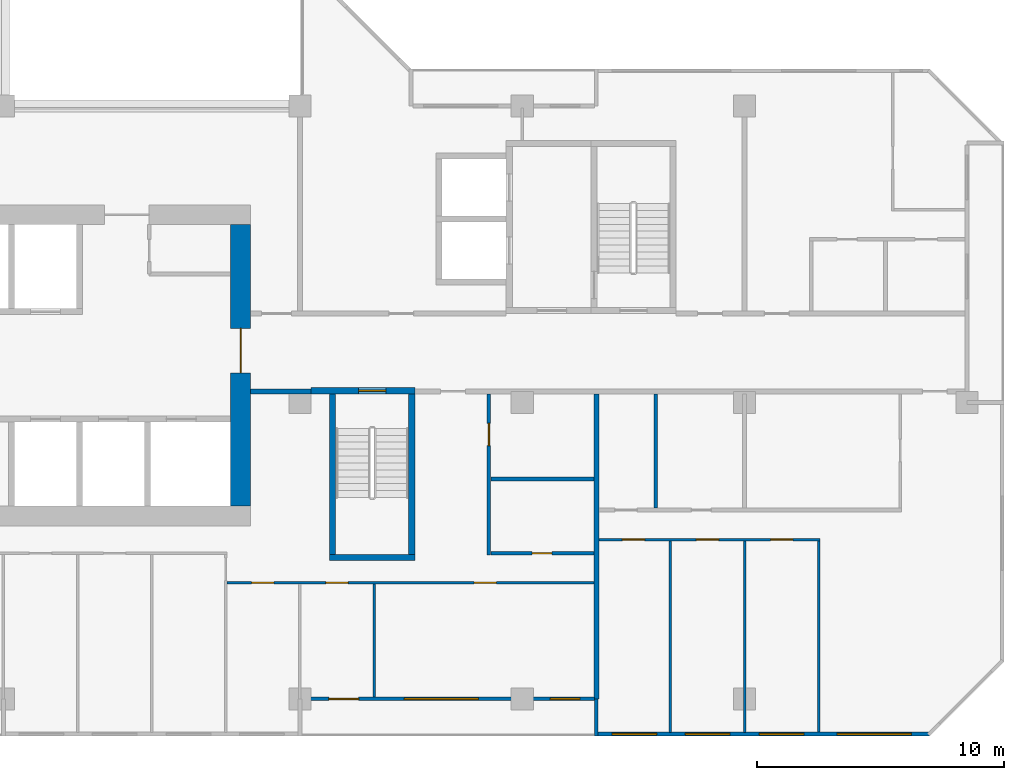
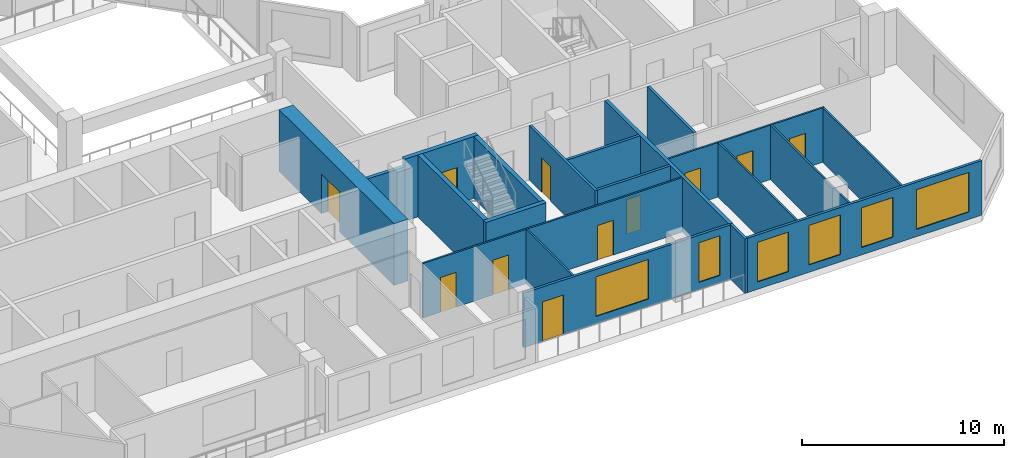
# One storey, part 6 of 15: 20 walls, 11 doors, 6 windows, 17 openings.
"""IFC4 building model written with IfcOpenShell, lengths in metres."""

from ifc_helpers import new_model, si_unit, direction, frame, frame_2d, origin, place, context, subcontext, project, spatial, rectangle, extrude, material, layer, layer_set, type_object, element, fill, save


model = new_model("IFC4")

# Units and contexts
model_context = context("Model", 3, precision=1e-05, world=origin(), true_north=direction((0.0, 1.0)))
body_context = subcontext(model_context, "Body", "Model", "MODEL_VIEW")
ifc_project = project(units=[si_unit("LENGTHUNIT", "METRE"), si_unit("AREAUNIT", "SQUARE_METRE"), si_unit("VOLUMEUNIT", "CUBIC_METRE"), si_unit("PLANEANGLEUNIT", "RADIAN"), si_unit("MASSUNIT", "GRAM", prefix="KILO")], contexts=[model_context])

# Site, building, storey
site_placement = place(None, origin())
site = spatial("IfcSite", under=ifc_project, at=site_placement, CompositionType="ELEMENT")
building_placement = place(site_placement, origin())
building = spatial("IfcBuilding", under=site, at=building_placement, Name="Chenar Terraces", CompositionType="ELEMENT")
storey_placement = place(building_placement, frame((0.0, 0.0, 202.39990234375)))
storey = spatial("IfcBuildingStorey", under=building, at=storey_placement, Name="L47", CompositionType="ELEMENT", Elevation=202.39990234375)

# Wall
ifc_material_1 = material(Name="Concrete C60/75", Category="concrete")
ifc_layer_1 = layer(ifc_material_1, 0.25)
ifc_layer_set_1 = layer_set([ifc_layer_1], Name="Concrete C60/75")
wall_type_1 = type_object("IfcWallType", Name="Core wall 250 Concrete C60/75", PredefinedType="SHEAR", material=ifc_layer_set_1)
wall_1_placement = place(storey_placement, frame((37.199951171875, 5.72509765625, 0.0), z_axis=(0.0, 0.0, 1.0), x_axis=(1.0, 0.0, 0.0)))
element("IfcWall", 1, at=wall_1_placement, inside=storey, type_object=wall_type_1, Name="Core wall ST2_S L47", PredefinedType="SHEAR", context=body_context, shape_type="SweptSolid", body=[
    extrude(rectangle(XDim=3.449951171875, YDim=0.25, at=frame_2d((1.72509765625, 0.0))), origin(), (0.0, 0.0, 1.0), 3.75),
])

# Wall, opening, door
wall_2_placement = place(storey_placement, frame((36.449951171875, 12.47509765625, 0.0), z_axis=(0.0, 0.0, 1.0), x_axis=(1.0, 0.0, 0.0)))
wall_2 = element("IfcWall", 2, at=wall_2_placement, inside=storey, type_object=wall_type_1, Name="Core wall ST2_N L47", PredefinedType="SHEAR", context=body_context, shape_type="SweptSolid", body=[
    extrude(rectangle(XDim=4.199951171875, YDim=0.25, at=frame_2d((2.10009765625, 0.0))), origin(), (0.0, 0.0, 1.0), 3.75),
])
opening_1_placement = place(wall_2_placement, frame((1.925048828125, 0.0, 0.0)))
opening_1 = element("IfcOpeningElement", 3, at=opening_1_placement, cuts=wall_2, Name="Opening DL47-C7", PredefinedType="OPENING", context=body_context, shape_type="SweptSolid", body=[
    extrude(rectangle(XDim=1.10009765625, YDim=2.199951171875, at=frame_2d((0.550048828125, 1.10009765625))), frame((0.0, 0.135009765625, 0.0), z_axis=(0.0, -1.0, 0.0), x_axis=(1.0, 0.0, 0.0)), (0.0, 0.0, 1.0), 0.27001953125),
])
ifc_material_2 = material(Name="Steel-framed fire-resisting door leaf", Category="steel")
door_type_1 = type_object("IfcDoorType", Name="Stair fire door FD60 1100 x 2200", OperationType="SINGLE_SWING_LEFT", PredefinedType="DOOR", material=ifc_material_2)
door_1_placement = place(opening_1_placement, frame((1.10009765625, 0.0, 0.0), z_axis=(0.0, 0.0, 1.0), x_axis=(-1.0, 0.0, 0.0)))
door_1 = element("IfcDoor", 4, at=door_1_placement, inside=storey, type_object=door_type_1, Name="Stair door DL47-C7", OperationType="SINGLE_SWING_RIGHT", OverallHeight=2.199951171875, OverallWidth=1.10009765625, PredefinedType="DOOR", context=body_context, shape_type="SweptSolid", body=[
    extrude(rectangle(XDim=1.10009765625, YDim=2.199951171875, at=frame_2d((0.550048828125, 1.10009765625))), frame((0.0, 0.02490234375, 0.0), z_axis=(0.0, -1.0, 0.0), x_axis=(1.0, 0.0, 0.0)), (0.0, 0.0, 1.0), 0.050048828125),
])
fill(opening_1, door_1)

# Walls
for number, where, z_axis, x_axis, name in (
    (5, (37.324951171875, 5.85009765625, 0.0), (0.0, 0.0, 1.0), (0.0, 1.0, 0.0), "Core wall ST2_W L47"),
    (6, (40.52490234375, 5.85009765625, 0.0), (0.0, 0.0, 1.0), (0.0, 1.0, 0.0), "Core wall ST2_E L47"),
):
    element("IfcWall", number, at=place(storey_placement, frame(where, z_axis=z_axis, x_axis=x_axis)), inside=storey, type_object=wall_type_1, Name=name, PredefinedType="SHEAR", context=body_context, shape_type="SweptSolid", body=[
        extrude(rectangle(XDim=6.5, YDim=0.25, at=frame_2d((3.25, 0.0))), origin(), (0.0, 0.0, 1.0), 3.75),
    ])

# Wall, opening, door
ifc_material_3 = material(Name="Concrete C60/75", Category="concrete")
ifc_layer_2 = layer(ifc_material_3, 0.800048828125)
ifc_layer_set_2 = layer_set([ifc_layer_2], Name="Concrete C60/75")
wall_type_2 = type_object("IfcWallType", Name="Core wall 800 Concrete C60/75", PredefinedType="SHEAR", material=ifc_layer_set_2)
wall_3_placement = place(storey_placement, frame((33.60009765625, 7.800048828125, 0.0), z_axis=(0.0, 0.0, 1.0), x_axis=(0.0, 1.0, 0.0)))
wall_3 = element("IfcWall", 7, at=wall_3_placement, inside=storey, type_object=wall_type_2, Name="Core wall E L47", PredefinedType="SHEAR", context=body_context, shape_type="SweptSolid", body=[
    extrude(rectangle(XDim=11.39990234375, YDim=0.800048828125, at=frame_2d((5.699951171875, 0.0))), origin(), (0.0, 0.0, 1.0), 3.75),
])
opening_2_placement = place(wall_3_placement, frame((5.39990234375, 0.0, 0.0)))
opening_2 = element("IfcOpeningElement", 8, at=opening_2_placement, cuts=wall_3, Name="Opening DL47-C1", PredefinedType="OPENING", context=body_context, shape_type="SweptSolid", body=[
    extrude(rectangle(XDim=1.800048828125, YDim=2.39990234375, at=frame_2d((0.89990234375, 1.199951171875))), frame((0.0, 0.409912109375, 0.0), z_axis=(0.0, -1.0, 0.0), x_axis=(1.0, 0.0, 0.0)), (0.0, 0.0, 1.0), 0.820068359375),
])
ifc_material_4 = material(Name="Steel-framed fire-resisting door leaf", Category="steel")
door_type_2 = type_object("IfcDoorType", Name="Core entrance double fire door FD60 1800 x 2400", OperationType="DOUBLE_DOOR_SINGLE_SWING", PredefinedType="DOOR", material=ifc_material_4)
door_2_placement = place(opening_2_placement, origin())
door_2 = element("IfcDoor", 9, at=door_2_placement, inside=storey, type_object=door_type_2, Name="Core door DL47-C1", OperationType="DOUBLE_DOOR_SINGLE_SWING", OverallHeight=2.39990234375, OverallWidth=1.800048828125, PredefinedType="DOOR", context=body_context, shape_type="SweptSolid", body=[
    extrude(rectangle(XDim=1.800048828125, YDim=2.39990234375, at=frame_2d((0.89990234375, 1.199951171875))), frame((0.0, 0.02490234375, 0.0), z_axis=(0.0, -1.0, 0.0), x_axis=(1.0, 0.0, 0.0)), (0.0, 0.0, 1.0), 0.050048828125),
])
fill(opening_2, door_2)

# Wall
ifc_material_5 = material(Name="Gypsum board on steel studs with fire boards", Category="steel")
ifc_layer_3 = layer(ifc_material_5, 0.199951171875)
ifc_layer_set_3 = layer_set([ifc_layer_3], Name="Gypsum board on steel studs with fire boards")
wall_type_3 = type_object("IfcWallType", Name="Corridor wall 200", PredefinedType="PARTITIONING", material=ifc_layer_set_3)
wall_4_placement = place(storey_placement, frame((34.0, 12.449951171875, 0.0), z_axis=(0.0, 0.0, 1.0), x_axis=(1.0, 0.0, 0.0)))
element("IfcWall", 10, at=wall_4_placement, inside=storey, type_object=wall_type_3, Name="Partition L47-064", PredefinedType="PARTITIONING", context=body_context, shape_type="SweptSolid", body=[
    extrude(rectangle(XDim=2.450927734375, YDim=0.199951171875, at=frame_2d((1.2255859375, 0.0))), origin(), (0.0, 0.0, 1.0), 3.300048828125),
])

# Wall, openings, windows
ifc_material_6 = material(Name="Aluminium framed glazing", Category="aluminium")
ifc_layer_4 = layer(ifc_material_6, 0.14990234375)
ifc_layer_set_4 = layer_set([ifc_layer_4], Name="Aluminium framed glazing")
wall_type_4 = type_object("IfcWallType", Name="Glazed flush facade wall 150", PredefinedType="SOLIDWALL", material=ifc_layer_set_4)
wall_5_placement = place(storey_placement, frame((48.074951171875, -1.425048828125, 0.0), z_axis=(0.0, 0.0, 1.0), x_axis=(1.0, 0.0, 0.0)))
wall_5 = element("IfcWall", 11, at=wall_5_placement, inside=storey, type_object=wall_type_4, Name="Glazed flush facade wall", PredefinedType="SOLIDWALL", context=body_context, shape_type="SweptSolid", body=[
    extrude(rectangle(XDim=13.425048828125, YDim=0.14990234375, at=frame_2d((6.71240234375, 0.0))), origin(), (0.0, 0.0, 1.0), 3.300048828125),
])
opening_3_placement = place(wall_5_placement, frame((0.5625, 0.0, 0.449951171875)))
opening_3 = element("IfcOpeningElement", 12, at=opening_3_placement, cuts=wall_5, Name="Opening W180x240", PredefinedType="OPENING", context=body_context, shape_type="SweptSolid", body=[
    extrude(rectangle(XDim=1.800048828125, YDim=2.39990234375, at=frame_2d((0.89990234375, 1.199951171875))), frame((0.0, 0.0849609375, 0.0), z_axis=(0.0, -1.0, 0.0), x_axis=(1.0, 0.0, 0.0)), (0.0, 0.0, 1.0), 0.169921875),
])
opening_4_placement = place(wall_5_placement, frame((3.52490234375, 0.0, 0.449951171875)))
opening_4 = element("IfcOpeningElement", 13, at=opening_4_placement, cuts=wall_5, Name="Opening W180x240", PredefinedType="OPENING", context=body_context, shape_type="SweptSolid", body=[
    extrude(rectangle(XDim=1.800048828125, YDim=2.39990234375, at=frame_2d((0.89990234375, 1.199951171875))), frame((0.0, 0.0849609375, 0.0), z_axis=(0.0, -1.0, 0.0), x_axis=(1.0, 0.0, 0.0)), (0.0, 0.0, 1.0), 0.169921875),
])
opening_5_placement = place(wall_5_placement, frame((6.52490234375, 0.0, 0.449951171875)))
opening_5 = element("IfcOpeningElement", 14, at=opening_5_placement, cuts=wall_5, Name="Opening W180x240", PredefinedType="OPENING", context=body_context, shape_type="SweptSolid", body=[
    extrude(rectangle(XDim=1.800048828125, YDim=2.39990234375, at=frame_2d((0.89990234375, 1.199951171875))), frame((0.0, 0.0849609375, 0.0), z_axis=(0.0, -1.0, 0.0), x_axis=(1.0, 0.0, 0.0)), (0.0, 0.0, 1.0), 0.169921875),
])
opening_6_placement = place(wall_5_placement, frame((9.675048828125, 0.0, 0.449951171875)))
opening_6 = element("IfcOpeningElement", 15, at=opening_6_placement, cuts=wall_5, Name="Opening W300x240", PredefinedType="OPENING", context=body_context, shape_type="SweptSolid", body=[
    extrude(rectangle(XDim=3.0, YDim=2.39990234375, at=frame_2d((1.5, 1.199951171875))), frame((0.0, 0.0849609375, 0.0), z_axis=(0.0, -1.0, 0.0), x_axis=(1.0, 0.0, 0.0)), (0.0, 0.0, 1.0), 0.169921875),
])
ifc_material_7 = material(Name="Low emissivity double glazing, aluminium frame", Category="aluminium")
window_type_1 = type_object("IfcWindowType", Name="Fixed light 1800 x 2400", PartitioningType="SINGLE_PANEL", PredefinedType="WINDOW", material=ifc_material_7)
window_1_placement = place(opening_3_placement, origin())
window_1 = element("IfcWindow", 16, at=window_1_placement, inside=storey, type_object=window_type_1, Name="Window", OverallHeight=2.39990234375, OverallWidth=1.800048828125, PartitioningType="SINGLE_PANEL", PredefinedType="WINDOW", context=body_context, shape_type="SweptSolid", body=[
    extrude(rectangle(XDim=1.800048828125, YDim=2.39990234375, at=frame_2d((0.89990234375, 1.199951171875))), frame((0.0, 0.030029296875, 0.0), z_axis=(0.0, -1.0, 0.0), x_axis=(1.0, 0.0, 0.0)), (0.0, 0.0, 1.0), 0.06005859375),
])
fill(opening_3, window_1)
window_2_placement = place(opening_4_placement, origin())
window_2 = element("IfcWindow", 17, at=window_2_placement, inside=storey, type_object=window_type_1, Name="Window", OverallHeight=2.39990234375, OverallWidth=1.800048828125, PartitioningType="SINGLE_PANEL", PredefinedType="WINDOW", context=body_context, shape_type="SweptSolid", body=[
    extrude(rectangle(XDim=1.800048828125, YDim=2.39990234375, at=frame_2d((0.89990234375, 1.199951171875))), frame((0.0, 0.030029296875, 0.0), z_axis=(0.0, -1.0, 0.0), x_axis=(1.0, 0.0, 0.0)), (0.0, 0.0, 1.0), 0.06005859375),
])
fill(opening_4, window_2)
window_3_placement = place(opening_5_placement, origin())
window_3 = element("IfcWindow", 18, at=window_3_placement, inside=storey, type_object=window_type_1, Name="Window", OverallHeight=2.39990234375, OverallWidth=1.800048828125, PartitioningType="SINGLE_PANEL", PredefinedType="WINDOW", context=body_context, shape_type="SweptSolid", body=[
    extrude(rectangle(XDim=1.800048828125, YDim=2.39990234375, at=frame_2d((0.89990234375, 1.199951171875))), frame((0.0, 0.030029296875, 0.0), z_axis=(0.0, -1.0, 0.0), x_axis=(1.0, 0.0, 0.0)), (0.0, 0.0, 1.0), 0.06005859375),
])
fill(opening_5, window_3)
ifc_material_8 = material(Name="Low emissivity double glazing, aluminium frame", Category="aluminium")
window_type_2 = type_object("IfcWindowType", Name="Fixed light 3000 x 2400", PartitioningType="SINGLE_PANEL", PredefinedType="WINDOW", material=ifc_material_8)
window_4_placement = place(opening_6_placement, origin())
window_4 = element("IfcWindow", 19, at=window_4_placement, inside=storey, type_object=window_type_2, Name="Window", OverallHeight=2.39990234375, OverallWidth=3.0, PartitioningType="SINGLE_PANEL", PredefinedType="WINDOW", context=body_context, shape_type="SweptSolid", body=[
    extrude(rectangle(XDim=3.0, YDim=2.39990234375, at=frame_2d((1.5, 1.199951171875))), frame((0.0, 0.030029296875, 0.0), z_axis=(0.0, -1.0, 0.0), x_axis=(1.0, 0.0, 0.0)), (0.0, 0.0, 1.0), 0.06005859375),
])
fill(opening_6, window_4)

# Wall, openings, windows, door
ifc_material_9 = material(Name="Aluminium framed glazing", Category="aluminium")
ifc_layer_5 = layer(ifc_material_9, 0.14990234375)
ifc_layer_set_5 = layer_set([ifc_layer_5], Name="Aluminium framed glazing")
wall_type_5 = type_object("IfcWallType", Name="Glazed loggia back wall 150", PredefinedType="SOLIDWALL", material=ifc_layer_set_5)
wall_6_placement = place(storey_placement, frame((36.074951171875, 0.0, 0.0), z_axis=(0.0, 0.0, 1.0), x_axis=(1.0, 0.0, 0.0)))
wall_6 = element("IfcWall", 20, at=wall_6_placement, inside=storey, type_object=wall_type_5, Name="Glazed loggia back wall", PredefinedType="SOLIDWALL", context=body_context, shape_type="SweptSolid", body=[
    extrude(rectangle(XDim=11.85009765625, YDim=0.14990234375, at=frame_2d((5.925048828125, 0.0))), origin(), (0.0, 0.0, 1.0), 3.300048828125),
])
opening_7_placement = place(wall_6_placement, frame((1.10009765625, 0.0, 0.0)))
opening_7 = element("IfcOpeningElement", 21, at=opening_7_placement, cuts=wall_6, Name="Opening DL47-G6", PredefinedType="OPENING", context=body_context, shape_type="SweptSolid", body=[
    extrude(rectangle(XDim=1.199951171875, YDim=2.39990234375, at=frame_2d((0.60009765625, 1.199951171875))), frame((0.0, 0.0849609375, 0.0), z_axis=(0.0, -1.0, 0.0), x_axis=(1.0, 0.0, 0.0)), (0.0, 0.0, 1.0), 0.169921875),
])
opening_8_placement = place(wall_6_placement, frame((4.14990234375, 0.0, 0.449951171875)))
opening_8 = element("IfcOpeningElement", 22, at=opening_8_placement, cuts=wall_6, Name="Opening W300x240", PredefinedType="OPENING", context=body_context, shape_type="SweptSolid", body=[
    extrude(rectangle(XDim=3.0, YDim=2.39990234375, at=frame_2d((1.5, 1.199951171875))), frame((0.0, 0.0849609375, 0.0), z_axis=(0.0, -1.0, 0.0), x_axis=(1.0, 0.0, 0.0)), (0.0, 0.0, 1.0), 0.169921875),
])
opening_9_placement = place(wall_6_placement, frame((10.0625, 0.0, 0.449951171875)))
opening_9 = element("IfcOpeningElement", 23, at=opening_9_placement, cuts=wall_6, Name="Opening W120x240", PredefinedType="OPENING", context=body_context, shape_type="SweptSolid", body=[
    extrude(rectangle(XDim=1.199951171875, YDim=2.39990234375, at=frame_2d((0.60009765625, 1.199951171875))), frame((0.0, 0.0849609375, 0.0), z_axis=(0.0, -1.0, 0.0), x_axis=(1.0, 0.0, 0.0)), (0.0, 0.0, 1.0), 0.169921875),
])
ifc_material_10 = material(Name="Low emissivity double glazing, aluminium frame", Category="aluminium")
window_type_3 = type_object("IfcWindowType", Name="Fixed light 1200 x 2400", PartitioningType="SINGLE_PANEL", PredefinedType="WINDOW", material=ifc_material_10)
window_5_placement = place(opening_9_placement, origin())
window_5 = element("IfcWindow", 24, at=window_5_placement, inside=storey, type_object=window_type_3, Name="Window", OverallHeight=2.39990234375, OverallWidth=1.199951171875, PartitioningType="SINGLE_PANEL", PredefinedType="WINDOW", context=body_context, shape_type="SweptSolid", body=[
    extrude(rectangle(XDim=1.199951171875, YDim=2.39990234375, at=frame_2d((0.60009765625, 1.199951171875))), frame((0.0, 0.030029296875, 0.0), z_axis=(0.0, -1.0, 0.0), x_axis=(1.0, 0.0, 0.0)), (0.0, 0.0, 1.0), 0.06005859375),
])
fill(opening_9, window_5)
window_6_placement = place(opening_8_placement, origin())
window_6 = element("IfcWindow", 25, at=window_6_placement, inside=storey, type_object=window_type_2, Name="Window", OverallHeight=2.39990234375, OverallWidth=3.0, PartitioningType="SINGLE_PANEL", PredefinedType="WINDOW", context=body_context, shape_type="SweptSolid", body=[
    extrude(rectangle(XDim=3.0, YDim=2.39990234375, at=frame_2d((1.5, 1.199951171875))), frame((0.0, 0.030029296875, 0.0), z_axis=(0.0, -1.0, 0.0), x_axis=(1.0, 0.0, 0.0)), (0.0, 0.0, 1.0), 0.06005859375),
])
fill(opening_8, window_6)
ifc_material_11 = material(Name="Low emissivity double glazing, aluminium frame", Category="aluminium")
door_type_3 = type_object("IfcDoorType", Name="Loggia glazed double door 1200 x 2400", OperationType="DOUBLE_DOOR_SINGLE_SWING", PredefinedType="DOOR", material=ifc_material_11)
door_3_placement = place(opening_7_placement, frame((1.199951171875, 0.0, 0.0), z_axis=(0.0, 0.0, 1.0), x_axis=(-1.0, 0.0, 0.0)))
door_3 = element("IfcDoor", 26, at=door_3_placement, inside=storey, type_object=door_type_3, Name="Loggia glazed door", OperationType="DOUBLE_DOOR_SINGLE_SWING", OverallHeight=2.39990234375, OverallWidth=1.199951171875, PredefinedType="DOOR", context=body_context, shape_type="SweptSolid", body=[
    extrude(rectangle(XDim=1.199951171875, YDim=2.39990234375, at=frame_2d((0.60009765625, 1.199951171875))), frame((0.0, 0.02490234375, 0.0), z_axis=(0.0, -1.0, 0.0), x_axis=(1.0, 0.0, 0.0)), (0.0, 0.0, 1.0), 0.050048828125),
])
fill(opening_7, door_3)

# Wall, openings, doors
ifc_material_12 = material(Name="Gypsum board on steel studs", Category="steel")
ifc_layer_6 = layer(ifc_material_12, 0.10009765625)
ifc_layer_set_6 = layer_set([ifc_layer_6], Name="Gypsum board on steel studs")
wall_type_6 = type_object("IfcWallType", Name="Gypsum partition 100", PredefinedType="PARTITIONING", material=ifc_layer_set_6)
wall_7_placement = place(storey_placement, frame((33.050048828125, 4.699951171875, 0.0), z_axis=(0.0, 0.0, 1.0), x_axis=(1.0, 0.0, 0.0)))
wall_7 = element("IfcWall", 27, at=wall_7_placement, inside=storey, type_object=wall_type_6, Name="Partition L47-063", PredefinedType="PARTITIONING", context=body_context, shape_type="SweptSolid", body=[
    extrude(rectangle(XDim=14.849853515625, YDim=0.10009765625, at=frame_2d((7.4248046875, 0.0))), origin(), (0.0, 0.0, 1.0), 3.300048828125),
])
opening_10_placement = place(wall_7_placement, frame((1.0, 0.0, 0.0)))
opening_10 = element("IfcOpeningElement", 28, at=opening_10_placement, cuts=wall_7, Name="Opening DL47-48", PredefinedType="OPENING", context=body_context, shape_type="SweptSolid", body=[
    extrude(rectangle(XDim=0.89990234375, YDim=2.10009765625, at=frame_2d((0.449951171875, 1.050048828125))), frame((0.0, 0.06005859375, 0.0), z_axis=(0.0, -1.0, 0.0), x_axis=(1.0, 0.0, 0.0)), (0.0, 0.0, 1.0), 0.1201171875),
])
opening_11_placement = place(wall_7_placement, frame((4.0, 0.0, 0.0)))
opening_11 = element("IfcOpeningElement", 29, at=opening_11_placement, cuts=wall_7, Name="Opening DL47-49", PredefinedType="OPENING", context=body_context, shape_type="SweptSolid", body=[
    extrude(rectangle(XDim=0.89990234375, YDim=2.10009765625, at=frame_2d((0.449951171875, 1.050048828125))), frame((0.0, 0.06005859375, 0.0), z_axis=(0.0, -1.0, 0.0), x_axis=(1.0, 0.0, 0.0)), (0.0, 0.0, 1.0), 0.1201171875),
])
opening_12_placement = place(wall_7_placement, frame((10.0, 0.0, 0.0)))
opening_12 = element("IfcOpeningElement", 30, at=opening_12_placement, cuts=wall_7, Name="Opening DL47-55", PredefinedType="OPENING", context=body_context, shape_type="SweptSolid", body=[
    extrude(rectangle(XDim=0.89990234375, YDim=2.10009765625, at=frame_2d((0.449951171875, 1.050048828125))), frame((0.0, 0.06005859375, 0.0), z_axis=(0.0, -1.0, 0.0), x_axis=(1.0, 0.0, 0.0)), (0.0, 0.0, 1.0), 0.1201171875),
])
ifc_material_13 = material(Name="Veneered timber door leaf", Category="wood")
door_type_4 = type_object("IfcDoorType", Name="Door 900 x 2100", OperationType="SINGLE_SWING_LEFT", PredefinedType="DOOR", material=ifc_material_13)
door_4_placement = place(opening_10_placement, frame((0.89990234375, 0.0, 0.0), z_axis=(0.0, 0.0, 1.0), x_axis=(-1.0, 0.0, 0.0)))
door_4 = element("IfcDoor", 31, at=door_4_placement, inside=storey, type_object=door_type_4, Name="Door DL47-48", OperationType="SINGLE_SWING_LEFT", OverallHeight=2.10009765625, OverallWidth=0.89990234375, PredefinedType="DOOR", context=body_context, shape_type="SweptSolid", body=[
    extrude(rectangle(XDim=0.89990234375, YDim=2.10009765625, at=frame_2d((0.449951171875, 1.050048828125))), frame((0.0, 0.02490234375, 0.0), z_axis=(0.0, -1.0, 0.0), x_axis=(1.0, 0.0, 0.0)), (0.0, 0.0, 1.0), 0.050048828125),
])
fill(opening_10, door_4)
door_5_placement = place(opening_11_placement, frame((0.89990234375, 0.0, 0.0), z_axis=(0.0, 0.0, 1.0), x_axis=(-1.0, 0.0, 0.0)))
door_5 = element("IfcDoor", 32, at=door_5_placement, inside=storey, type_object=door_type_4, Name="Door DL47-49", OperationType="SINGLE_SWING_LEFT", OverallHeight=2.10009765625, OverallWidth=0.89990234375, PredefinedType="DOOR", context=body_context, shape_type="SweptSolid", body=[
    extrude(rectangle(XDim=0.89990234375, YDim=2.10009765625, at=frame_2d((0.449951171875, 1.050048828125))), frame((0.0, 0.02490234375, 0.0), z_axis=(0.0, -1.0, 0.0), x_axis=(1.0, 0.0, 0.0)), (0.0, 0.0, 1.0), 0.050048828125),
])
fill(opening_11, door_5)
door_6_placement = place(opening_12_placement, frame((0.89990234375, 0.0, 0.0), z_axis=(0.0, 0.0, 1.0), x_axis=(-1.0, 0.0, 0.0)))
door_6 = element("IfcDoor", 33, at=door_6_placement, inside=storey, type_object=door_type_4, Name="Door DL47-55", OperationType="SINGLE_SWING_LEFT", OverallHeight=2.10009765625, OverallWidth=0.89990234375, PredefinedType="DOOR", context=body_context, shape_type="SweptSolid", body=[
    extrude(rectangle(XDim=0.89990234375, YDim=2.10009765625, at=frame_2d((0.449951171875, 1.050048828125))), frame((0.0, 0.02490234375, 0.0), z_axis=(0.0, -1.0, 0.0), x_axis=(1.0, 0.0, 0.0)), (0.0, 0.0, 1.0), 0.050048828125),
])
fill(opening_12, door_6)

# Wall
wall_8_placement = place(storey_placement, frame((39.0, 0.073974609375, 0.0), z_axis=(0.0, 0.0, 1.0), x_axis=(0.0, 1.0, 0.0)))
element("IfcWall", 34, at=wall_8_placement, inside=storey, type_object=wall_type_6, Name="Partition L47-068", PredefinedType="PARTITIONING", context=body_context, shape_type="SweptSolid", body=[
    extrude(rectangle(XDim=4.575927734375, YDim=0.10009765625, at=frame_2d((2.2880859375, 0.0))), origin(), (0.0, 0.0, 1.0), 3.300048828125),
])

# Wall, openings, doors
wall_9_placement = place(storey_placement, frame((48.10009765625, 6.449951171875, 0.0), z_axis=(0.0, 0.0, 1.0), x_axis=(1.0, 0.0, 0.0)))
wall_9 = element("IfcWall", 35, at=wall_9_placement, inside=storey, type_object=wall_type_6, Name="Partition L47-075", PredefinedType="PARTITIONING", context=body_context, shape_type="SweptSolid", body=[
    extrude(rectangle(XDim=8.949951171875, YDim=0.10009765625, at=frame_2d((4.47509765625, 0.0))), origin(), (0.0, 0.0, 1.0), 3.300048828125),
])
opening_13_placement = place(wall_9_placement, frame((0.949951171875, 0.0, 0.0)))
opening_13 = element("IfcOpeningElement", 36, at=opening_13_placement, cuts=wall_9, Name="Opening DL47-9", PredefinedType="OPENING", context=body_context, shape_type="SweptSolid", body=[
    extrude(rectangle(XDim=0.89990234375, YDim=2.10009765625, at=frame_2d((0.449951171875, 1.050048828125))), frame((0.0, 0.06005859375, 0.0), z_axis=(0.0, -1.0, 0.0), x_axis=(1.0, 0.0, 0.0)), (0.0, 0.0, 1.0), 0.1201171875),
])
opening_14_placement = place(wall_9_placement, frame((3.949951171875, 0.0, 0.0)))
opening_14 = element("IfcOpeningElement", 37, at=opening_14_placement, cuts=wall_9, Name="Opening DL47-10", PredefinedType="OPENING", context=body_context, shape_type="SweptSolid", body=[
    extrude(rectangle(XDim=0.89990234375, YDim=2.10009765625, at=frame_2d((0.449951171875, 1.050048828125))), frame((0.0, 0.06005859375, 0.0), z_axis=(0.0, -1.0, 0.0), x_axis=(1.0, 0.0, 0.0)), (0.0, 0.0, 1.0), 0.1201171875),
])
opening_15_placement = place(wall_9_placement, frame((6.949951171875, 0.0, 0.0)))
opening_15 = element("IfcOpeningElement", 38, at=opening_15_placement, cuts=wall_9, Name="Opening DL47-11", PredefinedType="OPENING", context=body_context, shape_type="SweptSolid", body=[
    extrude(rectangle(XDim=0.89990234375, YDim=2.10009765625, at=frame_2d((0.449951171875, 1.050048828125))), frame((0.0, 0.06005859375, 0.0), z_axis=(0.0, -1.0, 0.0), x_axis=(1.0, 0.0, 0.0)), (0.0, 0.0, 1.0), 0.1201171875),
])
door_7_placement = place(opening_13_placement, frame((0.89990234375, 0.0, 0.0), z_axis=(0.0, 0.0, 1.0), x_axis=(-1.0, 0.0, 0.0)))
door_7 = element("IfcDoor", 39, at=door_7_placement, inside=storey, type_object=door_type_4, Name="Door DL47-9", OperationType="SINGLE_SWING_LEFT", OverallHeight=2.10009765625, OverallWidth=0.89990234375, PredefinedType="DOOR", context=body_context, shape_type="SweptSolid", body=[
    extrude(rectangle(XDim=0.89990234375, YDim=2.10009765625, at=frame_2d((0.449951171875, 1.050048828125))), frame((0.0, 0.02490234375, 0.0), z_axis=(0.0, -1.0, 0.0), x_axis=(1.0, 0.0, 0.0)), (0.0, 0.0, 1.0), 0.050048828125),
])
fill(opening_13, door_7)
door_8_placement = place(opening_14_placement, frame((0.89990234375, 0.0, 0.0), z_axis=(0.0, 0.0, 1.0), x_axis=(-1.0, 0.0, 0.0)))
door_8 = element("IfcDoor", 40, at=door_8_placement, inside=storey, type_object=door_type_4, Name="Door DL47-10", OperationType="SINGLE_SWING_LEFT", OverallHeight=2.10009765625, OverallWidth=0.89990234375, PredefinedType="DOOR", context=body_context, shape_type="SweptSolid", body=[
    extrude(rectangle(XDim=0.89990234375, YDim=2.10009765625, at=frame_2d((0.449951171875, 1.050048828125))), frame((0.0, 0.02490234375, 0.0), z_axis=(0.0, -1.0, 0.0), x_axis=(1.0, 0.0, 0.0)), (0.0, 0.0, 1.0), 0.050048828125),
])
fill(opening_14, door_8)
door_9_placement = place(opening_15_placement, frame((0.89990234375, 0.0, 0.0), z_axis=(0.0, 0.0, 1.0), x_axis=(-1.0, 0.0, 0.0)))
door_9 = element("IfcDoor", 41, at=door_9_placement, inside=storey, type_object=door_type_4, Name="Door DL47-11", OperationType="SINGLE_SWING_LEFT", OverallHeight=2.10009765625, OverallWidth=0.89990234375, PredefinedType="DOOR", context=body_context, shape_type="SweptSolid", body=[
    extrude(rectangle(XDim=0.89990234375, YDim=2.10009765625, at=frame_2d((0.449951171875, 1.050048828125))), frame((0.0, 0.02490234375, 0.0), z_axis=(0.0, -1.0, 0.0), x_axis=(1.0, 0.0, 0.0)), (0.0, 0.0, 1.0), 0.050048828125),
])
fill(opening_15, door_9)

# Walls
for number, where, z_axis, x_axis, name in (
    (42, (51.0, -1.35107421875, 0.0), (0.0, 0.0, 1.0), (0.0, 1.0, 0.0), "Partition L47-078"),
    (43, (54.0, -1.35107421875, 0.0), (0.0, 0.0, 1.0), (0.0, 1.0, 0.0), "Partition L47-080"),
):
    element("IfcWall", number, at=place(storey_placement, frame(where, z_axis=z_axis, x_axis=x_axis)), inside=storey, type_object=wall_type_6, Name=name, PredefinedType="PARTITIONING", context=body_context, shape_type="SweptSolid", body=[
        extrude(rectangle(XDim=7.7509765625, YDim=0.10009765625, at=frame_2d((3.87548828125, 0.0))), origin(), (0.0, 0.0, 1.0), 3.300048828125),
    ])
wall_10_placement = place(storey_placement, frame((57.0, -1.35009765625, 0.0), z_axis=(0.0, 0.0, 1.0), x_axis=(0.0, 1.0, 0.0)))
element("IfcWall", 44, at=wall_10_placement, inside=storey, type_object=wall_type_6, Name="Partition L47-085", PredefinedType="PARTITIONING", context=body_context, shape_type="SweptSolid", body=[
    extrude(rectangle(XDim=7.75, YDim=0.10009765625, at=frame_2d((3.875, 0.0))), origin(), (0.0, 0.0, 1.0), 3.300048828125),
])
ifc_material_14 = material(Name="Terracotta cladding on insulated backing", Category="masonry")
ifc_layer_7 = layer(ifc_material_14, 0.14990234375)
ifc_layer_set_7 = layer_set([ifc_layer_7], Name="Terracotta cladding on insulated backing")
wall_type_7 = type_object("IfcWallType", Name="Loggia return wall 150", PredefinedType="SOLIDWALL", material=ifc_layer_set_7)
wall_11_placement = place(storey_placement, frame((48.0, -1.5, 0.0), z_axis=(0.0, 0.0, 1.0), x_axis=(0.0, 1.0, 0.0)))
element("IfcWall", 45, at=wall_11_placement, inside=storey, type_object=wall_type_7, Name="Loggia return wall", PredefinedType="SOLIDWALL", context=body_context, shape_type="SweptSolid", body=[
    extrude(rectangle(XDim=1.5, YDim=0.14990234375, at=frame_2d((0.75, 0.0))), origin(), (0.0, 0.0, 1.0), 3.300048828125),
])
ifc_material_15 = material(Name="Twin gypsum board on steel studs with mineral wool", Category="steel")
ifc_layer_8 = layer(ifc_material_15, 0.199951171875)
ifc_layer_set_8 = layer_set([ifc_layer_8], Name="Twin gypsum board on steel studs with mineral wool")
wall_type_8 = type_object("IfcWallType", Name="Unit demising wall 200", PredefinedType="PARTITIONING", material=ifc_layer_set_8)
wall_12_placement = place(storey_placement, frame((48.0, 0.0, 0.0), z_axis=(0.0, 0.0, 1.0), x_axis=(0.0, 1.0, 0.0)))
element("IfcWall", 46, at=wall_12_placement, inside=storey, type_object=wall_type_8, Name="Partition L47-074", PredefinedType="PARTITIONING", context=body_context, shape_type="SweptSolid", body=[
    extrude(rectangle(XDim=12.35009765625, YDim=0.199951171875, at=frame_2d((6.175048828125, 0.0))), origin(), (0.0, 0.0, 1.0), 3.300048828125),
])

# Wall, opening, door
ifc_material_16 = material(Name="Moisture-resistant gypsum board on steel studs", Category="steel")
ifc_layer_9 = layer(ifc_material_16, 0.14990234375)
ifc_layer_set_9 = layer_set([ifc_layer_9], Name="Moisture-resistant gypsum board on steel studs")
wall_type_9 = type_object("IfcWallType", Name="Wet-room partition 150", PredefinedType="PARTITIONING", material=ifc_layer_set_9)
wall_13_placement = place(storey_placement, frame((43.64990234375, 5.824951171875, 0.0), z_axis=(0.0, 0.0, 1.0), x_axis=(0.0, 1.0, 0.0)))
wall_13 = element("IfcWall", 47, at=wall_13_placement, inside=storey, type_object=wall_type_9, Name="Partition L47-070", PredefinedType="PARTITIONING", context=body_context, shape_type="SweptSolid", body=[
    extrude(rectangle(XDim=6.525146484375, YDim=0.14990234375, at=frame_2d((3.2626953125, 0.0))), origin(), (0.0, 0.0, 1.0), 3.300048828125),
])
opening_16_placement = place(wall_13_placement, frame((4.425048828125, 0.0, 0.0)))
opening_16 = element("IfcOpeningElement", 48, at=opening_16_placement, cuts=wall_13, Name="Opening DL47-53", PredefinedType="OPENING", context=body_context, shape_type="SweptSolid", body=[
    extrude(rectangle(XDim=0.89990234375, YDim=2.10009765625, at=frame_2d((0.449951171875, 1.050048828125))), frame((0.0, 0.0849609375, 0.0), z_axis=(0.0, -1.0, 0.0), x_axis=(1.0, 0.0, 0.0)), (0.0, 0.0, 1.0), 0.169921875),
])
door_10_placement = place(opening_16_placement, frame((0.89990234375, 0.0, 0.0), z_axis=(0.0, 0.0, 1.0), x_axis=(-1.0, 0.0, 0.0)))
door_10 = element("IfcDoor", 49, at=door_10_placement, inside=storey, type_object=door_type_4, Name="Door DL47-53", OperationType="SINGLE_SWING_LEFT", OverallHeight=2.10009765625, OverallWidth=0.89990234375, PredefinedType="DOOR", context=body_context, shape_type="SweptSolid", body=[
    extrude(rectangle(XDim=0.89990234375, YDim=2.10009765625, at=frame_2d((0.449951171875, 1.050048828125))), frame((0.0, 0.02490234375, 0.0), z_axis=(0.0, -1.0, 0.0), x_axis=(1.0, 0.0, 0.0)), (0.0, 0.0, 1.0), 0.050048828125),
])
fill(opening_16, door_10)

wall_14_placement = place(storey_placement, frame((43.72509765625, 5.89990234375, 0.0), z_axis=(0.0, 0.0, 1.0), x_axis=(1.0, 0.0, 0.0)))
wall_14 = element("IfcWall", 50, at=wall_14_placement, inside=storey, type_object=wall_type_9, Name="Partition L47-071", PredefinedType="PARTITIONING", context=body_context, shape_type="SweptSolid", body=[
    extrude(rectangle(XDim=4.1748046875, YDim=0.14990234375, at=frame_2d((2.08740234375, 0.0))), origin(), (0.0, 0.0, 1.0), 3.300048828125),
])
opening_17_placement = place(wall_14_placement, frame((1.675048828125, 0.0, 0.0)))
opening_17 = element("IfcOpeningElement", 51, at=opening_17_placement, cuts=wall_14, Name="Opening DL47-43", PredefinedType="OPENING", context=body_context, shape_type="SweptSolid", body=[
    extrude(rectangle(XDim=0.800048828125, YDim=2.10009765625, at=frame_2d((0.39990234375, 1.050048828125))), frame((0.0, 0.0849609375, 0.0), z_axis=(0.0, -1.0, 0.0), x_axis=(1.0, 0.0, 0.0)), (0.0, 0.0, 1.0), 0.169921875),
])
ifc_material_17 = material(Name="Veneered timber door leaf", Category="wood")
door_type_5 = type_object("IfcDoorType", Name="Door 800 x 2100", OperationType="SINGLE_SWING_LEFT", PredefinedType="DOOR", material=ifc_material_17)
door_11_placement = place(opening_17_placement, origin())
door_11 = element("IfcDoor", 52, at=door_11_placement, inside=storey, type_object=door_type_5, Name="Door DL47-43", OperationType="SINGLE_SWING_LEFT", OverallHeight=2.10009765625, OverallWidth=0.800048828125, PredefinedType="DOOR", context=body_context, shape_type="SweptSolid", body=[
    extrude(rectangle(XDim=0.800048828125, YDim=2.10009765625, at=frame_2d((0.39990234375, 1.050048828125))), frame((0.0, 0.02490234375, 0.0), z_axis=(0.0, -1.0, 0.0), x_axis=(1.0, 0.0, 0.0)), (0.0, 0.0, 1.0), 0.050048828125),
])
fill(opening_17, door_11)

# Walls
wall_15_placement = place(storey_placement, frame((43.72509765625, 8.89990234375, 0.0), z_axis=(0.0, 0.0, 1.0), x_axis=(1.0, 0.0, 0.0)))
element("IfcWall", 53, at=wall_15_placement, inside=storey, type_object=wall_type_9, Name="Partition L47-072", PredefinedType="PARTITIONING", context=body_context, shape_type="SweptSolid", body=[
    extrude(rectangle(XDim=4.1748046875, YDim=0.14990234375, at=frame_2d((2.08740234375, 0.0))), origin(), (0.0, 0.0, 1.0), 3.300048828125),
])
wall_16_placement = place(storey_placement, frame((50.39990234375, 7.72509765625, 0.0), z_axis=(0.0, 0.0, 1.0), x_axis=(0.0, 1.0, 0.0)))
element("IfcWall", 54, at=wall_16_placement, inside=storey, type_object=wall_type_9, Name="Partition L47-077", PredefinedType="PARTITIONING", context=body_context, shape_type="SweptSolid", body=[
    extrude(rectangle(XDim=4.625, YDim=0.14990234375, at=frame_2d((2.3125, 0.0))), origin(), (0.0, 0.0, 1.0), 3.300048828125),
])

save(model, "model.ifc")
